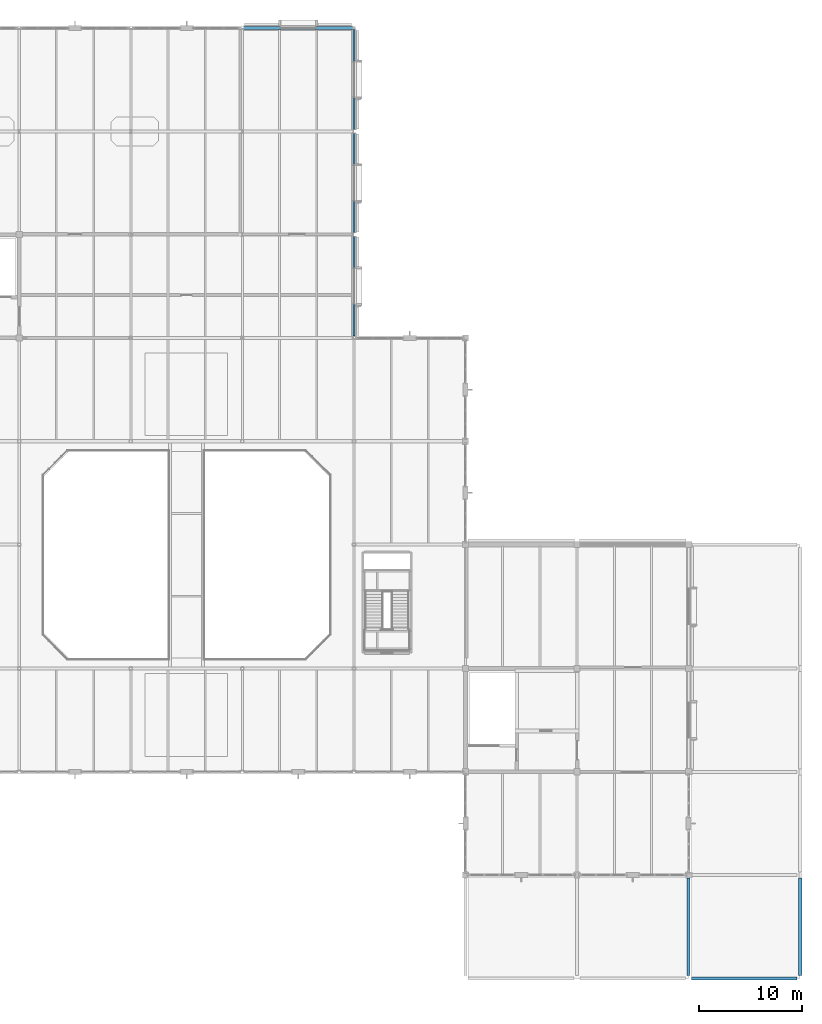
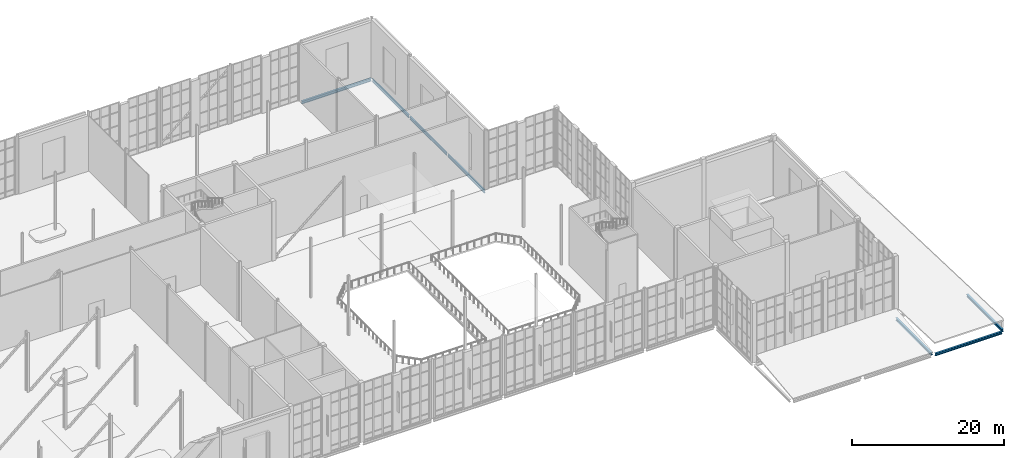
# One storey, part 58 of 100: 7 beams.
"""IFC4 building model written with IfcOpenShell, lengths in metres."""

from ifc_helpers import new_model, si_unit, direction, frame, origin, origin_2d, place, context, subcontext, project, spatial, i_section, extrude, material, material_profile, profile_set, type_object, element, save


model = new_model("IFC4")

# Units and contexts
model_context = context("Model", 3, precision=1e-05, world=origin(), true_north=direction((0.0, 1.0)))
body_context = subcontext(model_context, "Body", "Model", "MODEL_VIEW")
ifc_project = project(units=[si_unit("LENGTHUNIT", "METRE"), si_unit("AREAUNIT", "SQUARE_METRE"), si_unit("VOLUMEUNIT", "CUBIC_METRE"), si_unit("PLANEANGLEUNIT", "RADIAN"), si_unit("MASSUNIT", "GRAM", prefix="KILO")], contexts=[model_context])

# Site, building, storey
site_placement = place(None, origin())
site = spatial("IfcSite", under=ifc_project, at=site_placement, CompositionType="ELEMENT")
building_placement = place(site_placement, origin())
building = spatial("IfcBuilding", under=site, at=building_placement, Name="Tasgan Crest Museum", CompositionType="ELEMENT")
storey_placement = place(building_placement, frame((0.0, 0.0, 14.39990234375)))
storey = spatial("IfcBuildingStorey", under=building, at=storey_placement, Name="L03", CompositionType="ELEMENT", Elevation=14.39990234375)

# Beams
ifc_material_1 = material(Name="Steel S355J2", Category="steel")
ifc_material_profile_1 = material_profile(ifc_material_1, i_section(OverallWidth=0.300048828125, OverallDepth=0.389892578125, WebThickness=0.010986328125, FlangeThickness=0.01904296875, FilletRadius=0.027099609375, at=origin_2d()), Name="HEA 400")
ifc_profile_set_1 = profile_set([ifc_material_profile_1], Name="Steel S355J2")
beam_type_1 = type_object("IfcBeamType", Name="BM-G-HEA400", PredefinedType="BEAM", material=ifc_profile_set_1)
beam_1_placement = place(storey_placement, frame((129.89599609375, 20.0, -0.474853515625), z_axis=(1.0, 0.0, 0.0), x_axis=(0.0, 1.0, 0.0)))
element("IfcBeam", 1, at=beam_1_placement, inside=storey, type_object=beam_type_1, Name="East archive mid step roof girder C 129.6", PredefinedType="BEAM", context=body_context, shape_type="SweptSolid", body=[
    extrude(i_section(OverallWidth=0.300048828125, OverallDepth=0.389892578125, WebThickness=0.010986328125, FlangeThickness=0.01904296875, FilletRadius=0.027099609375, at=origin_2d()), origin(), (0.0, 0.0, 1.0), 10.2080078125),
])
for number, where, z_axis, x_axis, name in (
    (2, (129.60009765625, 20.294921875, -0.474853515625), (0.0, 1.0, 0.0), (-1.0, 0.0, 0.0), "East archive mid step roof beam 13 20.0"),
    (3, (140.39990234375, 20.294921875, -0.474853515625), (0.0, 1.0, 0.0), (-1.0, 0.0, 0.0), "East archive mid step roof beam 14 20.0"),
):
    element("IfcBeam", number, at=place(storey_placement, frame(where, z_axis=z_axis, x_axis=x_axis)), inside=storey, type_object=beam_type_1, Name=name, PredefinedType="BEAM", context=body_context, shape_type="SweptSolid", body=[
        extrude(i_section(OverallWidth=0.300048828125, OverallDepth=0.389892578125, WebThickness=0.010986328125, FlangeThickness=0.01904296875, FilletRadius=0.027099609375, at=origin_2d()), origin(), (0.0, 0.0, 1.0), 9.41015625),
    ])
ifc_material_2 = material(Name="Steel S355J2", Category="steel")
ifc_material_profile_2 = material_profile(ifc_material_2, i_section(OverallWidth=0.300048828125, OverallDepth=0.43994140625, WebThickness=0.011474609375, FlangeThickness=0.02099609375, FilletRadius=0.027099609375, at=origin_2d()), Name="HEA 450")
ifc_profile_set_2 = profile_set([ifc_material_profile_2], Name="Steel S355J2")
beam_type_2 = type_object("IfcBeamType", Name="BM-G-HEA450", PredefinedType="BEAM", material=ifc_profile_set_2)
beam_2_placement = place(storey_placement, frame((86.49609375, 112.0, -0.4599609375), z_axis=(1.0, 0.0, 0.0), x_axis=(0.0, 1.0, 0.0)))
element("IfcBeam", 4, at=beam_2_placement, inside=storey, type_object=beam_type_2, Name="Girder L03 M 86.4-97.2", PredefinedType="BEAM", context=body_context, shape_type="SweptSolid", body=[
    extrude(i_section(OverallWidth=0.300048828125, OverallDepth=0.43994140625, WebThickness=0.011474609375, FlangeThickness=0.02099609375, FilletRadius=0.027099609375, at=origin_2d()), origin(), (0.0, 0.0, 1.0), 10.60791015625),
])
ifc_material_3 = material(Name="Steel S355J2", Category="steel")
ifc_material_profile_3 = material_profile(ifc_material_3, i_section(OverallWidth=0.199951171875, OverallDepth=0.5, WebThickness=0.01025390625, FlangeThickness=0.01611328125, FilletRadius=0.02099609375, at=origin_2d()), Name="IPE 500")
ifc_profile_set_3 = profile_set([ifc_material_profile_3], Name="Steel S355J2")
beam_type_3 = type_object("IfcBeamType", Name="BM-G-IPE500", PredefinedType="BEAM", material=ifc_profile_set_3)
beam_3_placement = place(storey_placement, frame((97.199951171875, 82.1728515625, -0.489990234375), z_axis=(0.0, 1.0, 0.0), x_axis=(-1.0, 0.0, 0.0)))
element("IfcBeam", 5, at=beam_3_placement, inside=storey, type_object=beam_type_3, Name="Beam L03 10 82.0-92.0", PredefinedType="BEAM", context=body_context, shape_type="SweptSolid", body=[
    extrude(i_section(OverallWidth=0.199951171875, OverallDepth=0.5, WebThickness=0.01025390625, FlangeThickness=0.01611328125, FilletRadius=0.02099609375, at=origin_2d()), origin(), (0.0, 0.0, 1.0), 9.68212890625),
])
for number, where, z_axis, x_axis, name in (
    (6, (97.199951171875, 92.14501953125, -0.489990234375), (0.0, 1.0, 0.0), (-1.0, 0.0, 0.0), "Beam L03 10 92.0-102.0"),
    (7, (97.199951171875, 102.14501953125, -0.489990234375), (0.0, 1.0, 0.0), (-1.0, 0.0, 0.0), "Beam L03 10 102.0-112.0"),
):
    element("IfcBeam", number, at=place(storey_placement, frame(where, z_axis=z_axis, x_axis=x_axis)), inside=storey, type_object=beam_type_3, Name=name, PredefinedType="BEAM", context=body_context, shape_type="SweptSolid", body=[
        extrude(i_section(OverallWidth=0.199951171875, OverallDepth=0.5, WebThickness=0.01025390625, FlangeThickness=0.01611328125, FilletRadius=0.02099609375, at=origin_2d()), origin(), (0.0, 0.0, 1.0), 9.7099609375),
    ])

save(model, "model.ifc")
